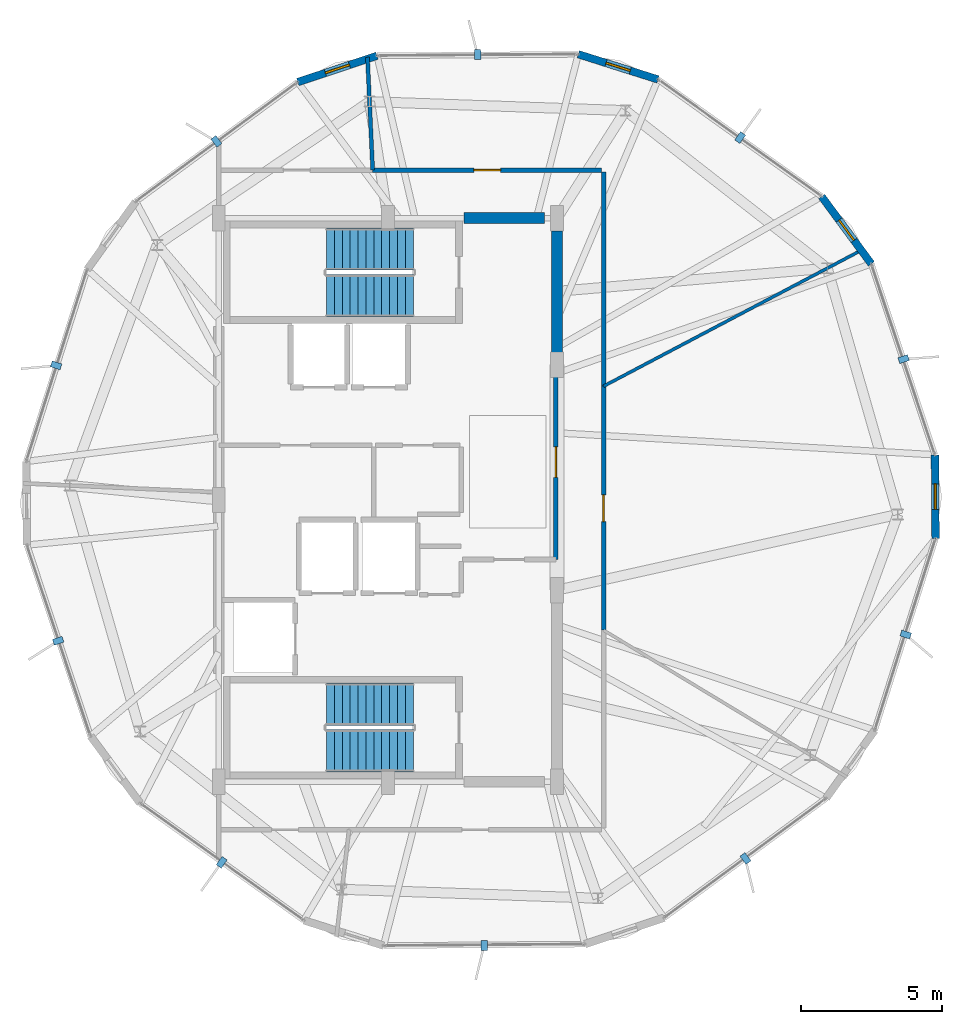
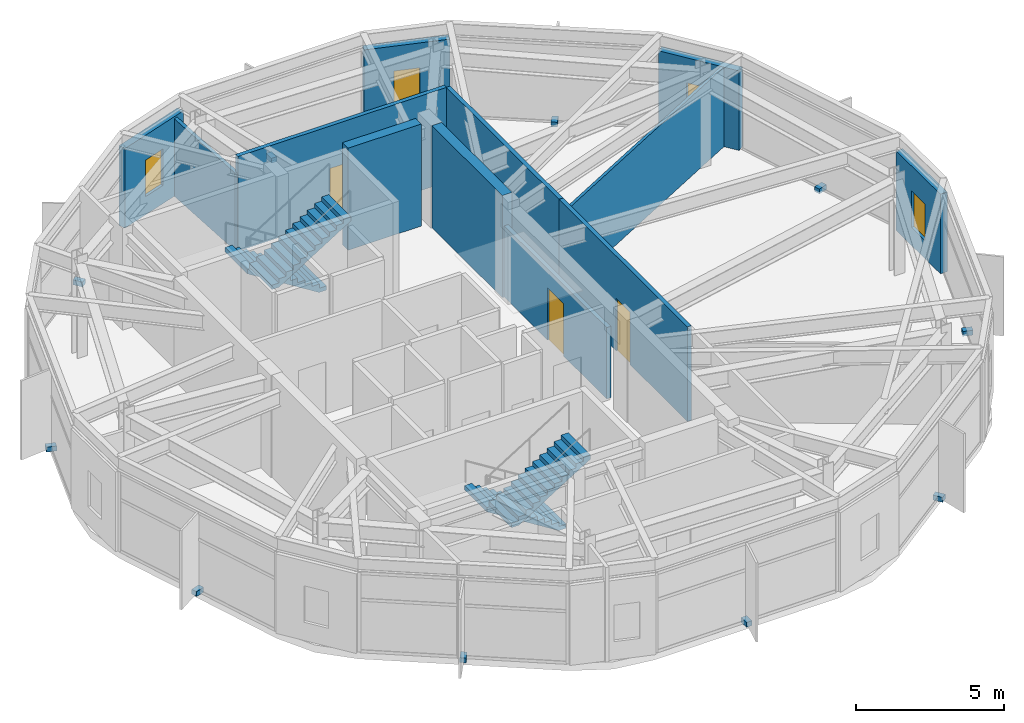
# One storey, part 19 of 22: 12 walls, 10 discrete accessories, 4 stair flights, 4 windows, 3 doors, 7 openings, 2 elements without a shape of their own.
"""IFC4 building model written with IfcOpenShell, lengths in metres."""

from ifc_helpers import new_model, si_unit, direction, frame, frame_2d, origin, origin_2d, place, context, subcontext, project, spatial, polyline, rectangle, outline, extrude, material, layer, layer_set, type_object, element, fill, aggregate, save


model = new_model("IFC4")

# Units and contexts
model_context = context("Model", 3, precision=1e-05, world=origin(), true_north=direction((0.0, 1.0)))
body_context = subcontext(model_context, "Body", "Model", "MODEL_VIEW")
ifc_project = project(units=[si_unit("LENGTHUNIT", "METRE"), si_unit("AREAUNIT", "SQUARE_METRE"), si_unit("VOLUMEUNIT", "CUBIC_METRE"), si_unit("PLANEANGLEUNIT", "RADIAN"), si_unit("MASSUNIT", "GRAM", prefix="KILO")], contexts=[model_context])

# Site, building, storey
site_placement = place(None, origin())
site = spatial("IfcSite", under=ifc_project, at=site_placement, CompositionType="ELEMENT")
building_placement = place(site_placement, origin())
building = spatial("IfcBuilding", under=site, at=building_placement, Name="Soratama Intermodal Tower", CompositionType="ELEMENT")
storey_placement = place(building_placement, frame((0.0, 0.0, 301.449951171875)))
storey = spatial("IfcBuildingStorey", under=building, at=storey_placement, Name="L76", CompositionType="ELEMENT", Elevation=301.449951171875)

# Wall, opening, window
ifc_material_1 = material(Name="Concrete f'c 42 MPa", Category="concrete")
ifc_layer_1 = layer(ifc_material_1, 0.27001953125)
ifc_layer_set_1 = layer_set([ifc_layer_1], Name="Concrete f'c 42 MPa")
wall_type_1 = type_object("IfcWallType", Name="EW-CRN-270", PredefinedType="SOLIDWALL", material=ifc_layer_set_1)
wall_1_placement = place(storey_placement, frame((38.21435546875, 40.760986328125, 0.0), z_axis=(0.0, 0.0, 1.0), x_axis=(-0.948757335835, -0.31600556593, 0.0)))
wall_1 = element("IfcWall", 1, at=wall_1_placement, inside=storey, type_object=wall_type_1, Name="L76 Corner Closure Wall 01", PredefinedType="SOLIDWALL", context=body_context, shape_type="SweptSolid", body=[
    extrude(rectangle(XDim=2.966796875, YDim=0.27001953125, at=frame_2d((1.4833984375, 0.0))), origin(), (0.0, 0.0, 1.0), 3.274169921875),
])
opening_1_placement = place(wall_1_placement, frame((1.033203125, 0.0, 0.75)))
opening_1 = element("IfcOpeningElement", 2, at=opening_1_placement, cuts=wall_1, Name="Opening WN-6", PredefinedType="OPENING", context=body_context, shape_type="SweptSolid", body=[
    extrude(rectangle(XDim=0.89990234375, YDim=1.5, at=frame_2d((0.449951171875, 0.75))), frame((0.0, 0.14501953125, 0.0), z_axis=(0.0, -1.0, 0.0), x_axis=(1.0, 0.0, 0.0)), (0.0, 0.0, 1.0), 0.2900390625),
])
ifc_material_2 = material(Name="Double-glazed aluminium window", Category="aluminium")
window_type = type_object("IfcWindowType", Name="WN-FAC-900", PartitioningType="SINGLE_PANEL", PredefinedType="WINDOW", material=ifc_material_2)
window_1_placement = place(opening_1_placement, origin())
window_1 = element("IfcWindow", 3, at=window_1_placement, inside=storey, type_object=window_type, Name="L76 Corner Window 01", OverallHeight=1.5, OverallWidth=0.89990234375, PartitioningType="SINGLE_PANEL", PredefinedType="WINDOW", context=body_context, shape_type="SweptSolid", body=[
    extrude(rectangle(XDim=0.89990234375, YDim=1.5, at=frame_2d((0.449951171875, 0.75))), frame((0.0, 0.030029296875, 0.0), z_axis=(0.0, -1.0, 0.0), x_axis=(1.0, 0.0, 0.0)), (0.0, 0.0, 1.0), 0.06005859375),
])
fill(opening_1, window_1)

wall_2_placement = place(storey_placement, frame((58.028564453125, 23.635009765625, 0.0), z_axis=(0.0, 0.0, 1.0), x_axis=(-0.007407204195, 0.999972566287, 0.0)))
wall_2 = element("IfcWall", 4, at=wall_2_placement, inside=storey, type_object=wall_type_1, Name="L76 Corner Closure Wall 08", PredefinedType="SOLIDWALL", context=body_context, shape_type="SweptSolid", body=[
    extrude(rectangle(XDim=2.96630859375, YDim=0.27001953125, at=frame_2d((1.483154296875, 0.0))), origin(), (0.0, 0.0, 1.0), 3.274169921875),
])
opening_2_placement = place(wall_2_placement, frame((1.033203125, 0.0, 0.75)))
opening_2 = element("IfcOpeningElement", 5, at=opening_2_placement, cuts=wall_2, Name="Opening WN-6", PredefinedType="OPENING", context=body_context, shape_type="SweptSolid", body=[
    extrude(rectangle(XDim=0.89990234375, YDim=1.5, at=frame_2d((0.449951171875, 0.75))), frame((0.0, 0.14501953125, 0.0), z_axis=(0.0, -1.0, 0.0), x_axis=(1.0, 0.0, 0.0)), (0.0, 0.0, 1.0), 0.2900390625),
])
window_2_placement = place(opening_2_placement, origin())
window_2 = element("IfcWindow", 6, at=window_2_placement, inside=storey, type_object=window_type, Name="L76 Corner Window 08", OverallHeight=1.5, OverallWidth=0.89990234375, PartitioningType="SINGLE_PANEL", PredefinedType="WINDOW", context=body_context, shape_type="SweptSolid", body=[
    extrude(rectangle(XDim=0.89990234375, YDim=1.5, at=frame_2d((0.449951171875, 0.75))), frame((0.0, 0.030029296875, 0.0), z_axis=(0.0, -1.0, 0.0), x_axis=(1.0, 0.0, 0.0)), (0.0, 0.0, 1.0), 0.06005859375),
])
fill(opening_2, window_2)

wall_3_placement = place(storey_placement, frame((55.75048828125, 33.375732421875, 0.0), z_axis=(0.0, 0.0, 1.0), x_axis=(-0.593634095406, 0.804735087325, 0.0)))
wall_3 = element("IfcWall", 7, at=wall_3_placement, inside=storey, type_object=wall_type_1, Name="L76 Corner Closure Wall 09", PredefinedType="SOLIDWALL", context=body_context, shape_type="SweptSolid", body=[
    extrude(rectangle(XDim=2.966552734375, YDim=0.27001953125, at=frame_2d((1.4833984375, 0.0))), origin(), (0.0, 0.0, 1.0), 3.274169921875),
])
opening_3_placement = place(wall_3_placement, frame((1.033203125, 0.0, 0.75)))
opening_3 = element("IfcOpeningElement", 8, at=opening_3_placement, cuts=wall_3, Name="Opening WN-6", PredefinedType="OPENING", context=body_context, shape_type="SweptSolid", body=[
    extrude(rectangle(XDim=0.89990234375, YDim=1.5, at=frame_2d((0.449951171875, 0.75))), frame((0.0, 0.14501953125, 0.0), z_axis=(0.0, -1.0, 0.0), x_axis=(1.0, 0.0, 0.0)), (0.0, 0.0, 1.0), 0.2900390625),
])
window_3_placement = place(opening_3_placement, origin())
window_3 = element("IfcWindow", 9, at=window_3_placement, inside=storey, type_object=window_type, Name="L76 Corner Window 09", OverallHeight=1.5, OverallWidth=0.89990234375, PartitioningType="SINGLE_PANEL", PredefinedType="WINDOW", context=body_context, shape_type="SweptSolid", body=[
    extrude(rectangle(XDim=0.89990234375, YDim=1.5, at=frame_2d((0.449951171875, 0.75))), frame((0.0, 0.030029296875, 0.0), z_axis=(0.0, -1.0, 0.0), x_axis=(1.0, 0.0, 0.0)), (0.0, 0.0, 1.0), 0.06005859375),
])
fill(opening_3, window_3)

wall_4_placement = place(storey_placement, frame((48.182373046875, 39.917236328125, 0.0), z_axis=(0.0, 0.0, 1.0), x_axis=(-0.953301162706, 0.302021345574, 0.0)))
wall_4 = element("IfcWall", 10, at=wall_4_placement, inside=storey, type_object=wall_type_1, Name="L76 Corner Closure Wall 10", PredefinedType="SOLIDWALL", context=body_context, shape_type="SweptSolid", body=[
    extrude(rectangle(XDim=2.966552734375, YDim=0.27001953125, at=frame_2d((1.4833984375, 0.0))), origin(), (0.0, 0.0, 1.0), 3.274169921875),
])
opening_4_placement = place(wall_4_placement, frame((1.033203125, 0.0, 0.75)))
opening_4 = element("IfcOpeningElement", 11, at=opening_4_placement, cuts=wall_4, Name="Opening WN-6", PredefinedType="OPENING", context=body_context, shape_type="SweptSolid", body=[
    extrude(rectangle(XDim=0.89990234375, YDim=1.5, at=frame_2d((0.449951171875, 0.75))), frame((0.0, 0.14501953125, 0.0), z_axis=(0.0, -1.0, 0.0), x_axis=(1.0, 0.0, 0.0)), (0.0, 0.0, 1.0), 0.2900390625),
])
window_4_placement = place(opening_4_placement, origin())
window_4 = element("IfcWindow", 12, at=window_4_placement, inside=storey, type_object=window_type, Name="L76 Corner Window 10", OverallHeight=1.5, OverallWidth=0.89990234375, PartitioningType="SINGLE_PANEL", PredefinedType="WINDOW", context=body_context, shape_type="SweptSolid", body=[
    extrude(rectangle(XDim=0.89990234375, YDim=1.5, at=frame_2d((0.449951171875, 0.75))), frame((0.0, 0.030029296875, 0.0), z_axis=(0.0, -1.0, 0.0), x_axis=(1.0, 0.0, 0.0)), (0.0, 0.0, 1.0), 0.06005859375),
])
fill(opening_4, window_4)

# Wall, opening, door
ifc_material_3 = material(Name="Fire-rated gypsum stud partition", Category="concrete")
ifc_layer_2 = layer(ifc_material_3, 0.159912109375)
ifc_layer_set_2 = layer_set([ifc_layer_2], Name="Fire-rated gypsum stud partition")
wall_type_2 = type_object("IfcWallType", Name="IW-PART-R160", PredefinedType="PARTITIONING", material=ifc_layer_set_2)
wall_5_placement = place(storey_placement, frame((46.25, 29.034912109375, 0.0), z_axis=(0.0, 0.0, 1.0), x_axis=(0.0, -1.0, 0.0)))
wall_5 = element("IfcWall", 13, at=wall_5_placement, inside=storey, type_object=wall_type_2, Name="L76 Partition W-L76-TP004", PredefinedType="PARTITIONING", context=body_context, shape_type="SweptSolid", body=[
    extrude(rectangle(XDim=8.656005859375, YDim=0.159912109375, at=frame_2d((4.328125, 0.0))), origin(), (0.0, 0.0, 1.0), 3.89501953125),
])
opening_5_placement = place(wall_5_placement, frame((3.85302734375, 0.0, 0.0)))
opening_5 = element("IfcOpeningElement", 14, at=opening_5_placement, cuts=wall_5, Name="Opening ID-3", PredefinedType="OPENING", context=body_context, shape_type="SweptSolid", body=[
    extrude(rectangle(XDim=0.949951171875, YDim=2.14990234375, at=frame_2d((0.47509765625, 1.074951171875))), frame((0.0, 0.08984375, 0.0), z_axis=(0.0, -1.0, 0.0), x_axis=(1.0, 0.0, 0.0)), (0.0, 0.0, 1.0), 0.179931640625),
])
ifc_material_4 = material(Name="Solid hardwood acoustic door", Category="wood")
door_type_1 = type_object("IfcDoorType", Name="DR-ROOM-950", OperationType="NOTDEFINED", PredefinedType="DOOR", material=ifc_material_4)
door_1_placement = place(opening_5_placement, origin())
door_1 = element("IfcDoor", 15, at=door_1_placement, inside=storey, type_object=door_type_1, Name="L76 Door D-L76-TP002", OperationType="SINGLE_SWING_LEFT", OverallHeight=2.14990234375, OverallWidth=0.949951171875, PredefinedType="DOOR", context=body_context, shape_type="SweptSolid", body=[
    extrude(rectangle(XDim=0.949951171875, YDim=2.14990234375, at=frame_2d((0.47509765625, 1.074951171875))), frame((0.0, 0.02490234375, 0.0), z_axis=(0.0, -1.0, 0.0), x_axis=(1.0, 0.0, 0.0)), (0.0, 0.0, 1.0), 0.050048828125),
])
fill(opening_5, door_1)

wall_6_placement = place(storey_placement, frame((38.06005859375, 36.699951171875, 0.0), z_axis=(0.0, 0.0, 1.0), x_axis=(1.0, 0.0, 0.0)))
wall_6 = element("IfcWall", 16, at=wall_6_placement, inside=storey, type_object=wall_type_2, Name="L76 Partition W-L76-TP005", PredefinedType="PARTITIONING", context=body_context, shape_type="SweptSolid", body=[
    extrude(rectangle(XDim=8.119873046875, YDim=0.159912109375, at=frame_2d((4.06005859375, 0.0))), origin(), (0.0, 0.0, 1.0), 3.89501953125),
])
opening_6_placement = place(wall_6_placement, frame((3.5849609375, 0.0, 0.0)))
opening_6 = element("IfcOpeningElement", 17, at=opening_6_placement, cuts=wall_6, Name="Opening ID-3", PredefinedType="OPENING", context=body_context, shape_type="SweptSolid", body=[
    extrude(rectangle(XDim=0.949951171875, YDim=2.14990234375, at=frame_2d((0.47509765625, 1.074951171875))), frame((0.0, 0.08984375, 0.0), z_axis=(0.0, -1.0, 0.0), x_axis=(1.0, 0.0, 0.0)), (0.0, 0.0, 1.0), 0.179931640625),
])
door_2_placement = place(opening_6_placement, origin())
door_2 = element("IfcDoor", 18, at=door_2_placement, inside=storey, type_object=door_type_1, Name="L76 Door D-L76-TP003", OperationType="SINGLE_SWING_RIGHT", OverallHeight=2.14990234375, OverallWidth=0.949951171875, PredefinedType="DOOR", context=body_context, shape_type="SweptSolid", body=[
    extrude(rectangle(XDim=0.949951171875, YDim=2.14990234375, at=frame_2d((0.47509765625, 1.074951171875))), frame((0.0, 0.02490234375, 0.0), z_axis=(0.0, -1.0, 0.0), x_axis=(1.0, 0.0, 0.0)), (0.0, 0.0, 1.0), 0.050048828125),
])
fill(opening_6, door_2)

# Wall
wall_7_placement = place(storey_placement, frame((46.25, 36.6298828125, 0.0), z_axis=(0.0, 0.0, 1.0), x_axis=(0.0, -1.0, 0.0)))
element("IfcWall", 19, at=wall_7_placement, inside=storey, type_object=wall_type_2, Name="L76 Partition W-L76-TP006", PredefinedType="PARTITIONING", context=body_context, shape_type="SweptSolid", body=[
    extrude(rectangle(XDim=7.594970703125, YDim=0.159912109375, at=frame_2d((3.79736328125, 0.0))), origin(), (0.0, 0.0, 1.0), 3.89501953125),
])

# Wall, opening, door
wall_8_placement = place(storey_placement, frame((44.56005859375, 29.800048828125, 0.0), z_axis=(0.0, 0.0, 1.0), x_axis=(0.0, -1.0, 0.0)))
wall_8 = element("IfcWall", 20, at=wall_8_placement, inside=storey, type_object=wall_type_2, Name="L76 Partition W-L76-TP008", PredefinedType="PARTITIONING", context=body_context, shape_type="SweptSolid", body=[
    extrude(rectangle(XDim=6.91015625, YDim=0.159912109375, at=frame_2d((3.455078125, 0.0))), origin(), (0.0, 0.0, 1.0), 2.93505859375),
])
opening_7_placement = place(wall_8_placement, frame((2.9150390625, 0.0, 0.0)))
opening_7 = element("IfcOpeningElement", 21, at=opening_7_placement, cuts=wall_8, Name="Opening ID-1", PredefinedType="OPENING", context=body_context, shape_type="SweptSolid", body=[
    extrude(rectangle(XDim=1.080078125, YDim=2.14990234375, at=frame_2d((0.5400390625, 1.074951171875))), frame((0.0, 0.08984375, 0.0), z_axis=(0.0, -1.0, 0.0), x_axis=(1.0, 0.0, 0.0)), (0.0, 0.0, 1.0), 0.179931640625),
])
ifc_material_5 = material(Name="Solid hardwood acoustic door", Category="wood")
door_type_2 = type_object("IfcDoorType", Name="DR-LOB-FD60", OperationType="NOTDEFINED", PredefinedType="DOOR", material=ifc_material_5)
door_3_placement = place(opening_7_placement, origin())
door_3 = element("IfcDoor", 22, at=door_3_placement, inside=storey, type_object=door_type_2, Name="L76 Door D-L76-TP004", OperationType="SINGLE_SWING_LEFT", OverallHeight=2.14990234375, OverallWidth=1.080078125, PredefinedType="DOOR", context=body_context, shape_type="SweptSolid", body=[
    extrude(rectangle(XDim=1.080078125, YDim=2.14990234375, at=frame_2d((0.5400390625, 1.074951171875))), frame((0.0, 0.02490234375, 0.0), z_axis=(0.0, -1.0, 0.0), x_axis=(1.0, 0.0, 0.0)), (0.0, 0.0, 1.0), 0.050048828125),
])
fill(opening_7, door_3)

# Walls
ifc_material_6 = material(Name="Fire-rated gypsum stud partition", Category="concrete")
ifc_layer_3 = layer(ifc_material_6, 0.110107421875)
ifc_layer_set_3 = layer_set([ifc_layer_3], Name="Fire-rated gypsum stud partition")
wall_type_3 = type_object("IfcWallType", Name="IW-PART-S110", PredefinedType="PARTITIONING", material=ifc_layer_set_3)
wall_9_placement = place(storey_placement, frame((55.47802734375, 33.90087890625, 0.0), z_axis=(0.0, 0.0, 1.0), x_axis=(-0.884558040769, -0.466430136795, 0.0)))
element("IfcWall", 23, at=wall_9_placement, inside=storey, type_object=wall_type_3, Name="L76 Partition W-L76-TP001", PredefinedType="PARTITIONING", context=body_context, shape_type="SweptSolid", body=[
    extrude(rectangle(XDim=10.432373046875, YDim=0.110107421875, at=frame_2d((5.21630859375, 0.0))), origin(), (0.0, 0.0, 1.0), 3.27294921875),
])
ifc_material_7 = material(Name="Fire-rated gypsum stud partition", Category="concrete")
ifc_layer_4 = layer(ifc_material_7, 0.139892578125)
ifc_layer_set_4 = layer_set([ifc_layer_4], Name="Fire-rated gypsum stud partition")
wall_type_4 = type_object("IfcWallType", Name="IW-PART-S140", PredefinedType="PARTITIONING", material=ifc_layer_set_4)
wall_10_placement = place(storey_placement, frame((38.06005859375, 36.699951171875, 0.0), z_axis=(0.0, 0.0, 1.0), x_axis=(-0.046156181076, 0.998934235547, 0.0)))
element("IfcWall", 24, at=wall_10_placement, inside=storey, type_object=wall_type_4, Name="L76 Partition W-L76-TP013", PredefinedType="PARTITIONING", context=body_context, shape_type="SweptSolid", body=[
    extrude(rectangle(XDim=4.009521484375, YDim=0.139892578125, at=frame_2d((2.0048828125, 0.0))), origin(), (0.0, 0.0, 1.0), 3.18994140625),
])
ifc_material_8 = material(Name="Concrete f'c 56 MPa", Category="concrete")
ifc_layer_5 = layer(ifc_material_8, 0.3798828125)
ifc_layer_set_5 = layer_set([ifc_layer_5], Name="Concrete f'c 56 MPa")
wall_type_5 = type_object("IfcWallType", Name="SW-CORE-380", PredefinedType="SHEAR", material=ifc_layer_set_5)
wall_11_placement = place(storey_placement, frame((41.300048828125, 35.0, 0.0), z_axis=(0.0, 0.0, 1.0), x_axis=(1.0, 0.0, 0.0)))
element("IfcWall", 25, at=wall_11_placement, inside=storey, type_object=wall_type_5, Name="L76 Core Shear Wall CW-NE", PredefinedType="SHEAR", context=body_context, shape_type="SweptSolid", body=[
    extrude(rectangle(XDim=2.849853515625, YDim=0.3798828125, at=frame_2d((1.4248046875, 0.0))), origin(), (0.0, 0.0, 1.0), 4.199951171875),
])
wall_12_placement = place(storey_placement, frame((44.60009765625, 29.800048828125, 0.0), z_axis=(0.0, 0.0, 1.0), x_axis=(0.0, 1.0, 0.0)))
element("IfcWall", 26, at=wall_12_placement, inside=storey, type_object=wall_type_5, Name="L76 Core Shear Wall CW-EN", PredefinedType="SHEAR", context=body_context, shape_type="SweptSolid", body=[
    extrude(rectangle(XDim=4.75, YDim=0.3798828125, at=frame_2d((2.375, 0.0))), origin(), (0.0, 0.0, 1.0), 4.199951171875),
])

# Stair, stair flights
ifc_material_9 = material(Name="Concrete f'c 42 MPa", Category="concrete")
stair_type = type_object("IfcStairType", Name="ST-CORE-DOGLEG", PredefinedType="HALF_TURN_STAIR", material=ifc_material_9)
stair_1_placement = place(storey_placement, origin())
stair_1 = element("IfcStair", 27, at=stair_1_placement, inside=storey, type_object=stair_type, Name="L76 ST-1", PredefinedType="HALF_TURN_STAIR")
ifc_material_10 = material(Name="Precast concrete f'c 40 MPa", Category="concrete")
ifc_layer_6 = layer(ifc_material_10, 0.199951171875)
ifc_layer_set_6 = layer_set([ifc_layer_6], Name="Precast concrete f'c 40 MPa")
stair_flight_type = type_object("IfcStairFlightType", Name="SF-FLIGHT-RC", PredefinedType="STRAIGHT", material=ifc_layer_set_6)
stair_flight_1_placement = place(storey_placement, frame((39.5, 17.75, 0.0), z_axis=(0.0, 0.0, 1.0), x_axis=(-1.0, 0.0, 0.0)))
stair_flight_1 = element("IfcStairFlight", 28, at=stair_flight_1_placement, type_object=stair_flight_type, Name="ST-1 flight 1", NumberOfRisers=12, NumberOfTreads=11, PredefinedType="STRAIGHT", RiserHeight=0.175, TreadLength=0.28, context=body_context, shape_type="SweptSolid", body=[
    extrude(outline(polyline([(0.0, 0.0), (0.0, 0.175048828125), (0.280029296875, 0.175048828125), (0.280029296875, 0.35009765625), (0.56005859375, 0.35009765625), (0.56005859375, 0.52490234375), (0.840087890625, 0.52490234375), (0.840087890625, 0.699951171875), (1.1201171875, 0.699951171875), (1.1201171875, 0.875), (1.39990234375, 0.875), (1.39990234375, 1.050048828125), (1.679931640625, 1.050048828125), (1.679931640625, 1.22509765625), (1.9599609375, 1.22509765625), (1.9599609375, 1.39990234375), (2.239990234375, 1.39990234375), (2.239990234375, 1.574951171875), (2.52001953125, 1.574951171875), (2.52001953125, 1.75), (2.800048828125, 1.75), (2.800048828125, 1.925048828125), (3.080078125, 1.925048828125), (3.080078125, 2.10009765625), (3.080078125, 1.748291015625), (0.28271484375, 0.0), (0.0, 0.0)])), frame((0.0, 0.75, 0.0), z_axis=(0.0, -1.0, 0.0), x_axis=(1.0, 0.0, 0.0)), (0.0, 0.0, 1.0), 1.5),
])
stair_flight_2_placement = place(storey_placement, frame((36.419921875, 16.10009765625, 2.10009765625), z_axis=(0.0, 0.0, 1.0), x_axis=(1.0, 0.0, 0.0)))
stair_flight_2 = element("IfcStairFlight", 29, at=stair_flight_2_placement, type_object=stair_flight_type, Name="ST-1 flight 2", NumberOfRisers=12, NumberOfTreads=11, PredefinedType="STRAIGHT", RiserHeight=0.175, TreadLength=0.28, context=body_context, shape_type="SweptSolid", body=[
    extrude(outline(polyline([(0.0, 0.0), (0.0, 0.175048828125), (0.280029296875, 0.175048828125), (0.280029296875, 0.35009765625), (0.56005859375, 0.35009765625), (0.56005859375, 0.52490234375), (0.840087890625, 0.52490234375), (0.840087890625, 0.699951171875), (1.1201171875, 0.699951171875), (1.1201171875, 0.875), (1.39990234375, 0.875), (1.39990234375, 1.050048828125), (1.679931640625, 1.050048828125), (1.679931640625, 1.22509765625), (1.9599609375, 1.22509765625), (1.9599609375, 1.39990234375), (2.239990234375, 1.39990234375), (2.239990234375, 1.574951171875), (2.52001953125, 1.574951171875), (2.52001953125, 1.75), (2.800048828125, 1.75), (2.800048828125, 1.925048828125), (3.080078125, 1.925048828125), (3.080078125, 2.10009765625), (3.080078125, 1.748291015625), (0.28271484375, 0.0), (0.0, 0.0)])), frame((0.0, 0.75, 0.0), z_axis=(0.0, -1.0, 0.0), x_axis=(1.0, 0.0, 0.0)), (0.0, 0.0, 1.0), 1.5),
])
aggregate(stair_1, [stair_flight_1, stair_flight_2])

stair_2_placement = place(storey_placement, origin())
stair_2 = element("IfcStair", 30, at=stair_2_placement, inside=storey, type_object=stair_type, Name="L76 ST-2", PredefinedType="HALF_TURN_STAIR")
stair_flight_3_placement = place(storey_placement, frame((39.5, 33.89990234375, 0.0), z_axis=(0.0, 0.0, 1.0), x_axis=(-1.0, 0.0, 0.0)))
stair_flight_3 = element("IfcStairFlight", 31, at=stair_flight_3_placement, type_object=stair_flight_type, Name="ST-2 flight 1", NumberOfRisers=12, NumberOfTreads=11, PredefinedType="STRAIGHT", RiserHeight=0.175, TreadLength=0.28, context=body_context, shape_type="SweptSolid", body=[
    extrude(outline(polyline([(0.0, 0.0), (0.0, 0.175048828125), (0.280029296875, 0.175048828125), (0.280029296875, 0.35009765625), (0.56005859375, 0.35009765625), (0.56005859375, 0.52490234375), (0.840087890625, 0.52490234375), (0.840087890625, 0.699951171875), (1.1201171875, 0.699951171875), (1.1201171875, 0.875), (1.39990234375, 0.875), (1.39990234375, 1.050048828125), (1.679931640625, 1.050048828125), (1.679931640625, 1.22509765625), (1.9599609375, 1.22509765625), (1.9599609375, 1.39990234375), (2.239990234375, 1.39990234375), (2.239990234375, 1.574951171875), (2.52001953125, 1.574951171875), (2.52001953125, 1.75), (2.800048828125, 1.75), (2.800048828125, 1.925048828125), (3.080078125, 1.925048828125), (3.080078125, 2.10009765625), (3.080078125, 1.748291015625), (0.28271484375, 0.0), (0.0, 0.0)])), frame((0.0, 0.75, 0.0), z_axis=(0.0, -1.0, 0.0), x_axis=(1.0, 0.0, 0.0)), (0.0, 0.0, 1.0), 1.5),
])
stair_flight_4_placement = place(storey_placement, frame((36.419921875, 32.25, 2.10009765625), z_axis=(0.0, 0.0, 1.0), x_axis=(1.0, 0.0, 0.0)))
stair_flight_4 = element("IfcStairFlight", 32, at=stair_flight_4_placement, type_object=stair_flight_type, Name="ST-2 flight 2", NumberOfRisers=12, NumberOfTreads=11, PredefinedType="STRAIGHT", RiserHeight=0.175, TreadLength=0.28, context=body_context, shape_type="SweptSolid", body=[
    extrude(outline(polyline([(0.0, 0.0), (0.0, 0.175048828125), (0.280029296875, 0.175048828125), (0.280029296875, 0.35009765625), (0.56005859375, 0.35009765625), (0.56005859375, 0.52490234375), (0.840087890625, 0.52490234375), (0.840087890625, 0.699951171875), (1.1201171875, 0.699951171875), (1.1201171875, 0.875), (1.39990234375, 0.875), (1.39990234375, 1.050048828125), (1.679931640625, 1.050048828125), (1.679931640625, 1.22509765625), (1.9599609375, 1.22509765625), (1.9599609375, 1.39990234375), (2.239990234375, 1.39990234375), (2.239990234375, 1.574951171875), (2.52001953125, 1.574951171875), (2.52001953125, 1.75), (2.800048828125, 1.75), (2.800048828125, 1.925048828125), (3.080078125, 1.925048828125), (3.080078125, 2.10009765625), (3.080078125, 1.748291015625), (0.28271484375, 0.0), (0.0, 0.0)])), frame((0.0, 0.75, 0.0), z_axis=(0.0, -1.0, 0.0), x_axis=(1.0, 0.0, 0.0)), (0.0, 0.0, 1.0), 1.5),
])
aggregate(stair_2, [stair_flight_3, stair_flight_4])

# Discrete accessories
ifc_material_11 = material(Name="Structural steel ASTM A992 Grade 50", Category="steel")
discrete_accessory_type = type_object("IfcDiscreteAccessoryType", Name="AC-FIN-BRACKET", PredefinedType="BRACKET", material=ifc_material_11)
for number, where, z_axis, x_axis, name in (
    (33, (41.7841796875, 40.80712890625, -0.080078125), (0.0, 0.0, 1.0), (-0.007330317209, 0.999973132864, 0.0), "L76 Fin Bracket F01-1"),
    (34, (32.51513671875, 37.72021484375, -0.080078125), (0.0, 0.0, 1.0), (-0.593699811383, 0.804686606055, 0.0), "L76 Fin Bracket F02-1"),
    (35, (26.830810546875, 29.7744140625, -0.080078125), (0.0, 0.0, 1.0), (-0.953296156722, 0.302037146025, 0.0), "L76 Fin Bracket F03-1"),
    (36, (26.90234375, 20.005126953125, -0.080078125), (0.0, 0.0, 1.0), (-0.948765771538, -0.315980237922, 0.0), "L76 Fin Bracket F04-1"),
    (37, (32.702392578125, 12.1435546875, -0.080078125), (0.0, 0.0, 1.0), (-0.581839108989, -0.813303910756, 0.0), "L76 Fin Bracket F05-1"),
    (38, (42.015869140625, 9.19287109375, -0.080078125), (0.0, 0.0, 1.0), (0.007330317209, -0.999973132864, 0.0), "L76 Fin Bracket F06-1"),
    (39, (51.284912109375, 12.27978515625, -0.080078125), (0.0, 0.0, 1.0), (0.593699811383, -0.804686606055, 0.0), "L76 Fin Bracket F07-1"),
    (40, (56.96923828125, 20.2255859375, -0.080078125), (0.0, 0.0, 1.0), (0.953296156722, -0.302037146025, 0.0), "L76 Fin Bracket F08-1"),
    (41, (56.897705078125, 29.994873046875, -0.080078125), (0.0, 0.0, 1.0), (0.948765771538, 0.315980237922, 0.0), "L76 Fin Bracket F09-1"),
    (42, (51.097412109375, 37.8564453125, -0.080078125), (0.0, 0.0, 1.0), (0.581839108989, 0.813303910756, 0.0), "L76 Fin Bracket F10-1"),
):
    element("IfcDiscreteAccessory", number, at=place(storey_placement, frame(where, z_axis=z_axis, x_axis=x_axis)), inside=storey, type_object=discrete_accessory_type, Name=name, PredefinedType="BRACKET", context=body_context, shape_type="SweptSolid", body=[
        extrude(rectangle(XDim=0.360107421875, YDim=0.219970703125, at=origin_2d()), origin(), (0.0, 0.0, 1.0), 0.199951171875),
    ])

save(model, "model.ifc")
